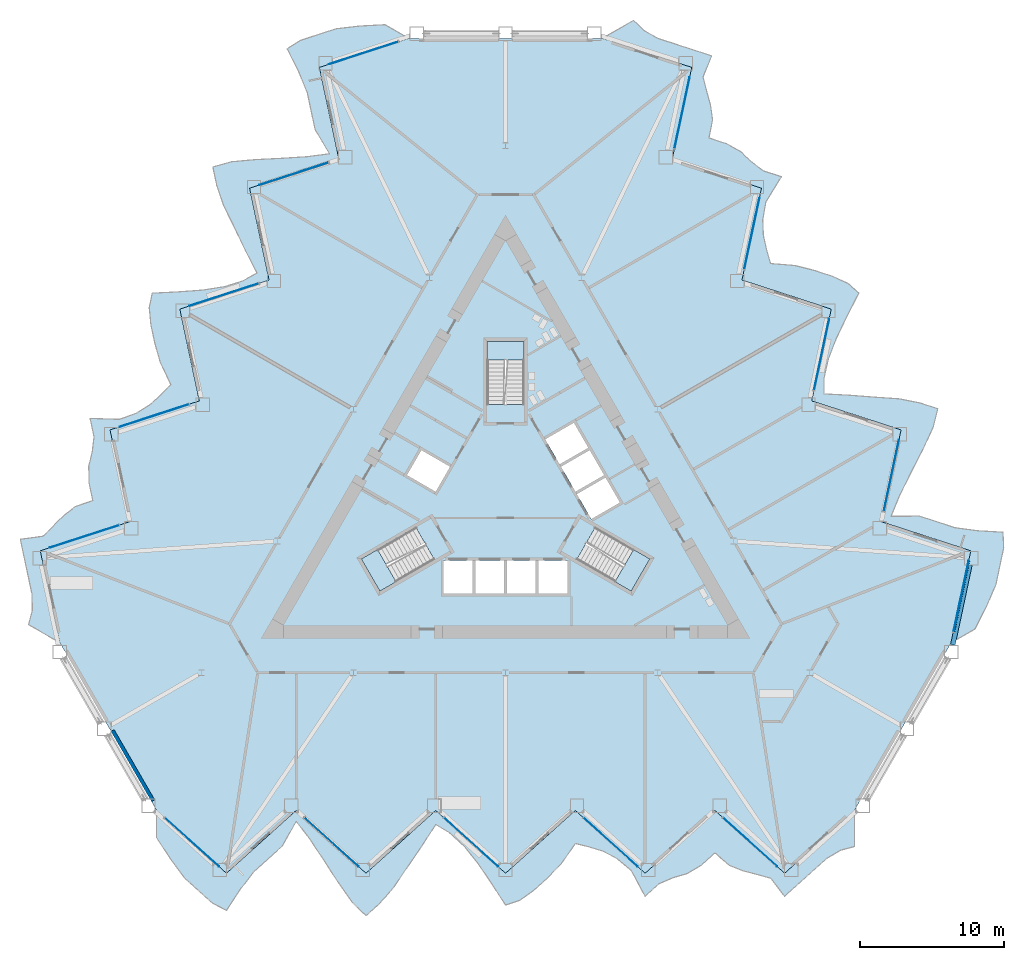
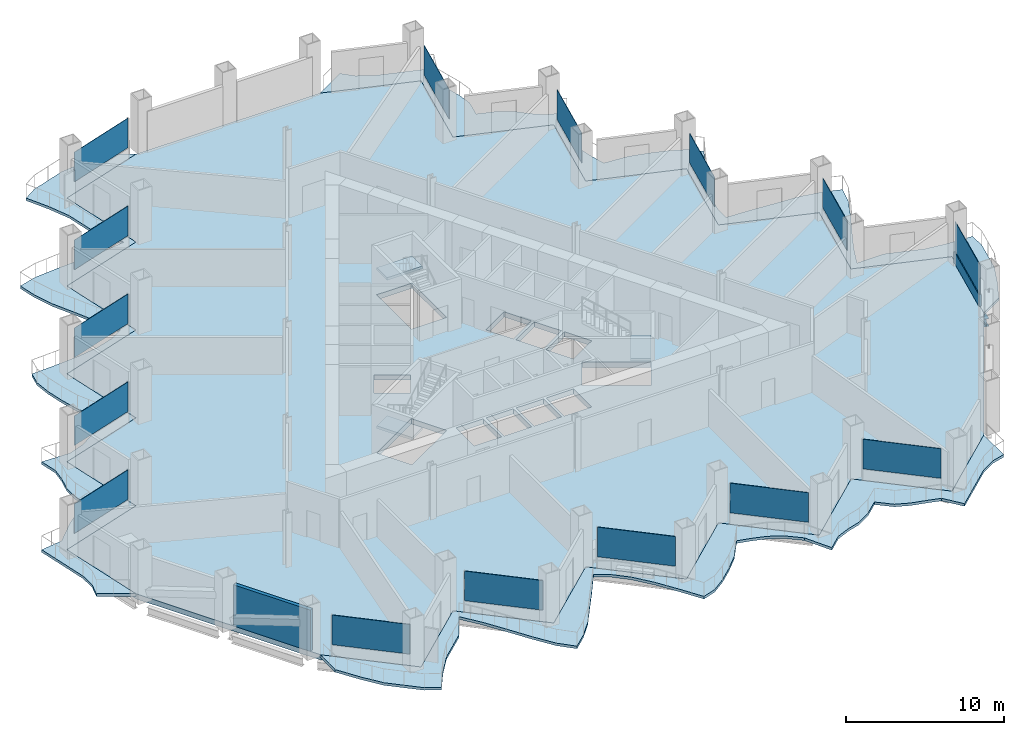
# One storey, part 8 of 21: 15 plates, 7 slabs, 1 beam, 1 member, 1 wall, 18 elements without a shape of their own.
"""IFC4 building model written with IfcOpenShell, lengths in metres."""

from ifc_helpers import new_model, si_unit, direction, frame, frame_2d, origin, origin_2d, place, context, subcontext, project, spatial, polyline, rectangle, i_section, outline, extrude, material, layer, layer_set, material_profile, profile_set, type_object, element, aggregate, save


model = new_model("IFC4")

# Units and contexts
model_context = context("Model", 3, precision=1e-05, world=origin(), true_north=direction((0.0, 1.0)))
body_context = subcontext(model_context, "Body", "Model", "MODEL_VIEW")
ifc_project = project(units=[si_unit("LENGTHUNIT", "METRE"), si_unit("AREAUNIT", "SQUARE_METRE"), si_unit("VOLUMEUNIT", "CUBIC_METRE"), si_unit("PLANEANGLEUNIT", "RADIAN"), si_unit("MASSUNIT", "GRAM", prefix="KILO")], contexts=[model_context])

# Site, building, storey
site_placement = place(None, origin())
site = spatial("IfcSite", under=ifc_project, at=site_placement, CompositionType="ELEMENT")
building_placement = place(site_placement, origin())
building = spatial("IfcBuilding", under=site, at=building_placement, Name="Cormorant Prow Tower", CompositionType="ELEMENT")
storey_placement = place(building_placement, frame((0.0, 0.0, 51.0)))
storey = spatial("IfcBuildingStorey", under=building, at=storey_placement, Name="L10", CompositionType="ELEMENT", Elevation=51.0)

# Curtain wall, member
ifc_material_1 = material(Name="Aluminium 6063-T6", Category="aluminium")
ifc_layer_1 = layer(ifc_material_1, 0.199951171875)
ifc_layer_set_1 = layer_set([ifc_layer_1], Name="Aluminium 6063-T6")
curtain_wall_type = type_object("IfcCurtainWallType", Name="Office unitised curtain wall 200", PredefinedType="NOTDEFINED", material=ifc_layer_set_1)
curtain_wall_1_placement = place(storey_placement, origin())
curtain_wall_1 = element("IfcCurtainWall", 1, at=curtain_wall_1_placement, inside=storey, type_object=curtain_wall_type, Name="Office curtain wall ENE00", PredefinedType="NOTDEFINED")
ifc_material_2 = material(Name="Terracotta", Category="masonry")
ifc_material_profile_1 = material_profile(ifc_material_2, rectangle(XDim=0.159912109375, YDim=0.89990234375, at=origin_2d()), Name="Office terracotta spandrel rail 160x900")
ifc_profile_set_1 = profile_set([ifc_material_profile_1], Name="Terracotta")
member_type = type_object("IfcMemberType", Name="Office terracotta spandrel rail 160x900", PredefinedType="USERDEFINED", material=ifc_profile_set_1)
member_placement = place(storey_placement, frame((31.15869140625, -9.37255859375, 0.449951171875), z_axis=(0.207895659842, 0.978151008086, 0.0), x_axis=(-0.978151008086, 0.207895659842, 0.0)))
member = element("IfcMember", 2, at=member_placement, type_object=member_type, Name="Office spandrel rail ENE00", ObjectType="TRANSOM", PredefinedType="USERDEFINED", context=body_context, shape_type="SweptSolid", body=[
    extrude(rectangle(XDim=0.159912109375, YDim=0.89990234375, at=origin_2d()), origin(), (0.0, 0.0, 1.0), 5.063720703125),
])

# Beam
ifc_material_3 = material(Name="Structural steel ASTM A992 Gr 50", Category="steel")
ifc_material_profile_2 = material_profile(ifc_material_3, i_section(OverallWidth=0.32373046875, OverallDepth=0.611083984375, WebThickness=0.0126953125, FlangeThickness=0.01904296875, at=origin_2d()), Name="W24x104")
ifc_profile_set_2 = profile_set([ifc_material_profile_2], Name="Structural steel ASTM A992 Gr 50")
beam_type = type_object("IfcBeamType", Name="Spandrel beam W24x104", PredefinedType="SPANDREL", material=ifc_profile_set_2)
beam_placement = place(storey_placement, frame((31.10400390625, -10.28466796875, -0.70556640625), z_axis=(0.207900376723, 0.97815000555, 0.0), x_axis=(-0.97815000555, 0.207900376723, 0.0)))
element("IfcBeam", 3, at=beam_placement, inside=storey, type_object=beam_type, Name="Spandrel beam SB1 ENE00-ENE01 L10", PredefinedType="SPANDREL", context=body_context, shape_type="SweptSolid", body=[
    extrude(i_section(OverallWidth=0.32373046875, OverallDepth=0.611083984375, WebThickness=0.0126953125, FlangeThickness=0.01904296875, at=origin_2d()), origin(), (0.0, 0.0, 1.0), 5.6826171875),
])

# Slabs
ifc_material_4 = material(Name="Concrete C40/50", Category="concrete")
ifc_layer_2 = layer(ifc_material_4, 0.199951171875)
ifc_layer_set_2 = layer_set([ifc_layer_2], Name="Concrete C40/50")
slab_type_1 = type_object("IfcSlabType", Name="Balcony slab 200", PredefinedType="FLOOR", material=ifc_layer_set_2)
slab_1_placement = place(storey_placement, frame((0.0, 0.0, -0.199951171875)))
element("IfcSlab", 4, at=slab_1_placement, inside=storey, type_object=slab_type_1, Name="Balcony slab S L10", PredefinedType="FLOOR", context=body_context, shape_type="SweptSolid", body=[
    extrude(outline(polyline([(-24.263427734375, -21.787353515625), (-24.263427734375, -23.687255859375), (-23.292724609375, -25.174560546875), (-22.322265625, -26.485107421875), (-21.351806640625, -27.35888671875), (-20.381103515625, -28.232666015625), (-19.41064453125, -28.73876953125), (-18.440185546875, -27.26318359375), (-17.469482421875, -26.0087890625), (-16.4990234375, -25.135009765625), (-15.528564453125, -24.26123046875), (-14.55810546875, -22.5439453125), (-13.58740234375, -23.81298828125), (-12.616943359375, -25.2744140625), (-11.646484375, -26.777099609375), (-10.67578125, -28.159423828125), (-9.705322265625, -29.106689453125), (-8.73486328125, -28.232666015625), (-7.76416015625, -27.1201171875), (-6.793701171875, -25.67529296875), (-5.8232421875, -24.26123046875), (-4.852783203125, -22.762939453125), (-3.882080078125, -23.3427734375), (-2.91162109375, -24.236328125), (-1.941162109375, -25.438232421875), (-0.970458984375, -26.864013671875), (0.0, -28.3720703125), (0.970458984375, -28.051025390625), (1.941162109375, -27.35888671875), (2.91162109375, -26.485107421875), (3.882080078125, -25.48779296875), (4.852783203125, -24.083251953125), (5.8232421875, -24.32421875), (6.793701171875, -24.62646484375), (7.76416015625, -25.13671875), (8.73486328125, -25.948486328125), (9.705322265625, -27.756591796875), (10.67578125, -26.8828125), (11.646484375, -26.46630859375), (12.616943359375, -26.180419921875), (13.58740234375, -25.611083984375), (14.55810546875, -24.7373046875), (15.528564453125, -25.587890625), (16.4990234375, -25.97998046875), (17.469482421875, -26.231689453125), (18.440185546875, -26.50341796875), (19.41064453125, -27.756591796875), (20.381103515625, -26.8828125), (21.351806640625, -26.0087890625), (22.322265625, -25.135009765625), (23.292724609375, -24.557861328125), (24.263427734375, -24.297607421875), (24.263427734375, -21.787353515625), (23.292724609375, -22.6611328125), (22.322265625, -23.534912109375), (21.351806640625, -24.408935546875), (20.381103515625, -25.28271484375), (19.41064453125, -26.15673828125), (18.440185546875, -25.28271484375), (17.469482421875, -24.408935546875), (16.4990234375, -23.534912109375), (15.528564453125, -22.6611328125), (14.55810546875, -21.787353515625), (13.58740234375, -22.6611328125), (12.616943359375, -23.534912109375), (11.646484375, -24.408935546875), (10.67578125, -25.28271484375), (9.705322265625, -26.15673828125), (8.73486328125, -25.28271484375), (7.76416015625, -24.408935546875), (6.793701171875, -23.534912109375), (5.8232421875, -22.6611328125), (4.852783203125, -21.787353515625), (3.882080078125, -22.6611328125), (2.91162109375, -23.534912109375), (1.941162109375, -24.408935546875), (0.970458984375, -25.28271484375), (0.0, -26.15673828125), (-0.970458984375, -25.28271484375), (-1.941162109375, -24.408935546875), (-2.91162109375, -23.534912109375), (-3.882080078125, -22.6611328125), (-4.852783203125, -21.787353515625), (-5.8232421875, -22.6611328125), (-6.793701171875, -23.534912109375), (-7.76416015625, -24.408935546875), (-8.73486328125, -25.28271484375), (-9.705322265625, -26.15673828125), (-10.67578125, -25.28271484375), (-11.646484375, -24.408935546875), (-12.616943359375, -23.534912109375), (-13.58740234375, -22.6611328125), (-14.55810546875, -21.787353515625), (-15.528564453125, -22.6611328125), (-16.4990234375, -23.534912109375), (-17.469482421875, -24.408935546875), (-18.440185546875, -25.28271484375), (-19.41064453125, -26.15673828125), (-20.381103515625, -25.28271484375), (-21.351806640625, -24.408935546875), (-22.322265625, -23.534912109375), (-23.292724609375, -22.6611328125), (-24.263427734375, -21.787353515625)])), origin(), (0.0, 0.0, 1.0), 0.199951171875),
])
slab_2_placement = place(storey_placement, frame((0.0, 0.0, -0.199951171875)))
element("IfcSlab", 5, at=slab_2_placement, inside=storey, type_object=slab_type_1, Name="Balcony slab ENE L10", PredefinedType="FLOOR", context=body_context, shape_type="SweptSolid", body=[
    extrude(outline(polyline([(31.0, -10.118896484375), (32.6455078125, -9.1689453125), (33.4482421875, -7.5849609375), (34.097900390625, -6.089111328125), (34.369384765625, -4.811767578125), (34.640869140625, -3.5341796875), (34.593994140625, -2.440673828125), (32.830810546875, -2.337890625), (31.25927734375, -2.124755859375), (30.01708984375, -1.72119140625), (28.775146484375, -1.317626953125), (26.802734375, -1.335693359375), (27.416259765625, 0.139404296875), (28.19677734375, 1.710693359375), (29.012939453125, 3.302490234375), (29.724609375, 4.834228515625), (30.059814453125, 6.148193359375), (28.817626953125, 6.5517578125), (27.368896484375, 6.8359375), (25.63232421875, 6.9541015625), (23.92236328125, 7.087646484375), (22.1396484375, 7.178955078125), (22.156494140625, 8.309326171875), (22.445068359375, 9.5966796875), (23.000732421875, 11.0380859375), (23.750244140625, 12.591552734375), (24.57080078125, 14.18603515625), (23.8076171875, 14.865966796875), (22.722900390625, 15.3603515625), (21.48095703125, 15.763916015625), (20.132080078125, 16.10595703125), (18.43017578125, 16.244140625), (18.15380859375, 17.205322265625), (17.93017578125, 18.19677734375), (17.88671875, 19.292236328125), (18.1044921875, 20.538818359375), (19.185302734375, 22.283447265625), (17.943115234375, 22.68701171875), (17.09716796875, 23.319091796875), (16.364501953125, 24.016845703125), (15.38623046875, 24.57275390625), (14.14404296875, 24.976318359375), (14.3955078125, 26.2421875), (14.249755859375, 27.278564453125), (13.982666015625, 28.2451171875), (13.732666015625, 29.221435546875), (14.33251953125, 30.6884765625), (13.090576171875, 31.092041015625), (11.8486328125, 31.49560546875), (10.6064453125, 31.899169921875), (9.621337890625, 32.450927734375), (8.91064453125, 33.161376953125), (6.736572265625, 31.90625), (7.978759765625, 31.502685546875), (9.220703125, 31.09912109375), (10.462890625, 30.695556640625), (11.704833984375, 30.2919921875), (12.947021484375, 29.888427734375), (12.675537109375, 28.611083984375), (12.404052734375, 27.33349609375), (12.13232421875, 26.05615234375), (11.86083984375, 24.778564453125), (11.58935546875, 23.501220703125), (12.831298828125, 23.09765625), (14.073486328125, 22.694091796875), (15.3154296875, 22.29052734375), (16.5576171875, 21.886962890625), (17.799560546875, 21.4833984375), (17.528076171875, 20.2060546875), (17.256591796875, 18.928466796875), (16.985107421875, 17.651123046875), (16.713623046875, 16.37353515625), (16.44189453125, 15.09619140625), (17.68408203125, 14.692626953125), (18.926025390625, 14.2890625), (20.168212890625, 13.885498046875), (21.41015625, 13.48193359375), (22.65234375, 13.078369140625), (22.380859375, 11.80078125), (22.109375, 10.5234375), (21.837646484375, 9.24609375), (21.566162109375, 7.968505859375), (21.294677734375, 6.691162109375), (22.53662109375, 6.28759765625), (23.77880859375, 5.884033203125), (25.020751953125, 5.48046875), (26.262939453125, 5.076904296875), (27.5048828125, 4.67333984375), (27.2333984375, 3.395751953125), (26.9619140625, 2.118408203125), (26.6904296875, 0.8408203125), (26.4189453125, -0.4365234375), (26.147216796875, -1.7138671875), (27.389404296875, -2.117431640625), (28.63134765625, -2.52099609375), (29.87353515625, -2.924560546875), (31.115478515625, -3.328125), (32.357666015625, -3.731689453125), (32.086181640625, -5.00927734375), (31.814697265625, -6.28662109375), (31.54296875, -7.564208984375), (31.271484375, -8.841552734375), (31.0, -10.118896484375)])), origin(), (0.0, 0.0, 1.0), 0.199951171875),
])
slab_3_placement = place(storey_placement, frame((0.0, 0.0, -0.199951171875)))
element("IfcSlab", 6, at=slab_3_placement, inside=storey, type_object=slab_type_1, Name="Balcony slab WNW L10", PredefinedType="FLOOR", context=body_context, shape_type="SweptSolid", body=[
    extrude(outline(polyline([(-6.736572265625, 31.90625), (-8.382080078125, 32.856201171875), (-10.1552734375, 32.75927734375), (-11.775634765625, 32.57421875), (-13.017578125, 32.170654296875), (-14.259765625, 31.76708984375), (-15.183349609375, 31.179443359375), (-14.390625, 29.601318359375), (-13.78955078125, 28.133544921875), (-13.51806640625, 26.856201171875), (-13.24658203125, 25.57861328125), (-12.24462890625, 23.879638671875), (-13.828857421875, 23.673583984375), (-15.579833984375, 23.563720703125), (-17.366455078125, 23.474609375), (-19.048828125, 23.3251953125), (-20.3544921875, 22.95849609375), (-20.0830078125, 21.680908203125), (-19.6044921875, 20.2841796875), (-18.838623046875, 18.72119140625), (-18.09912109375, 17.173583984375), (-17.286865234375, 15.583984375), (-18.2744140625, 15.033447265625), (-19.533447265625, 14.6396484375), (-21.0595703125, 14.400146484375), (-22.77978515625, 14.2724609375), (-24.57080078125, 14.18603515625), (-24.7783203125, 13.18505859375), (-24.6640625, 11.99853515625), (-24.392578125, 10.720947265625), (-24.01416015625, 9.3818359375), (-23.282958984375, 7.839111328125), (-23.97705078125, 7.119140625), (-24.723876953125, 6.4296875), (-25.651123046875, 5.84423828125), (-26.83935546875, 5.40966796875), (-28.890625, 5.47314453125), (-28.619140625, 4.19580078125), (-28.74365234375, 3.14697265625), (-28.9814453125, 2.16357421875), (-28.9736328125, 1.03857421875), (-28.7021484375, -0.239013671875), (-29.924072265625, -0.654052734375), (-30.748779296875, -1.298583984375), (-31.4521484375, -2.01318359375), (-32.172607421875, -2.718017578125), (-33.7431640625, -2.931884765625), (-33.4716796875, -4.209228515625), (-33.2001953125, -5.486572265625), (-32.9287109375, -6.76416015625), (-32.9140625, -7.893310546875), (-33.174072265625, -8.86376953125), (-31.0, -10.118896484375), (-31.271484375, -8.841552734375), (-31.54296875, -7.564208984375), (-31.814697265625, -6.28662109375), (-32.086181640625, -5.00927734375), (-32.357666015625, -3.731689453125), (-31.115478515625, -3.328125), (-29.87353515625, -2.924560546875), (-28.63134765625, -2.52099609375), (-27.389404296875, -2.117431640625), (-26.147216796875, -1.7138671875), (-26.4189453125, -0.4365234375), (-26.6904296875, 0.8408203125), (-26.9619140625, 2.118408203125), (-27.2333984375, 3.395751953125), (-27.5048828125, 4.67333984375), (-26.262939453125, 5.076904296875), (-25.020751953125, 5.48046875), (-23.77880859375, 5.884033203125), (-22.53662109375, 6.28759765625), (-21.294677734375, 6.691162109375), (-21.566162109375, 7.968505859375), (-21.837646484375, 9.24609375), (-22.109375, 10.5234375), (-22.380859375, 11.80078125), (-22.65234375, 13.078369140625), (-21.41015625, 13.48193359375), (-20.168212890625, 13.885498046875), (-18.926025390625, 14.2890625), (-17.68408203125, 14.692626953125), (-16.44189453125, 15.09619140625), (-16.713623046875, 16.37353515625), (-16.985107421875, 17.651123046875), (-17.256591796875, 18.928466796875), (-17.528076171875, 20.2060546875), (-17.799560546875, 21.4833984375), (-16.5576171875, 21.886962890625), (-15.3154296875, 22.29052734375), (-14.073486328125, 22.694091796875), (-12.831298828125, 23.09765625), (-11.58935546875, 23.501220703125), (-11.86083984375, 24.778564453125), (-12.13232421875, 26.05615234375), (-12.404052734375, 27.33349609375), (-12.675537109375, 28.611083984375), (-12.947021484375, 29.888427734375), (-11.704833984375, 30.2919921875), (-10.462890625, 30.695556640625), (-9.220703125, 31.09912109375), (-7.978759765625, 31.502685546875), (-6.736572265625, 31.90625)])), origin(), (0.0, 0.0, 1.0), 0.199951171875),
])

# Curtain wall, plate
curtain_wall_2_placement = place(storey_placement, origin())
curtain_wall_2 = element("IfcCurtainWall", 7, at=curtain_wall_2_placement, inside=storey, type_object=curtain_wall_type, Name="Office curtain wall S00", PredefinedType="NOTDEFINED")
ifc_material_5 = material(Name="Clear glass", Category="glass")
ifc_layer_3 = layer(ifc_material_5, 0.031982421875)
ifc_layer_set_3 = layer_set([ifc_layer_3], Name="Clear glass")
plate_type = type_object("IfcPlateType", Name="Office glass panel 32", PredefinedType="CURTAIN_PANEL", material=ifc_layer_set_3)
plate_1_placement = place(storey_placement, frame((-21.814697265625, -23.991943359375, 0.89990234375), z_axis=(0.0, 0.0, 1.0), x_axis=(0.743144855234, -0.66913057331, 0.0)))
plate_1 = element("IfcPlate", 8, at=plate_1_placement, type_object=plate_type, Name="Office glass panel S00", PredefinedType="CURTAIN_PANEL", context=body_context, shape_type="SweptSolid", body=[
    extrude(rectangle(XDim=5.06396484375, YDim=0.031982421875, at=origin_2d()), origin(), (0.0, 0.0, 1.0), 2.288818359375),
])
aggregate(curtain_wall_2, [plate_1])

curtain_wall_3_placement = place(storey_placement, origin())
curtain_wall_3 = element("IfcCurtainWall", 9, at=curtain_wall_3_placement, inside=storey, type_object=curtain_wall_type, Name="Office curtain wall S02", PredefinedType="NOTDEFINED")
plate_2_placement = place(storey_placement, frame((-12.109375, -23.991943359375, 0.89990234375), z_axis=(0.0, 0.0, 1.0), x_axis=(0.743144855234, -0.66913057331, 0.0)))
plate_2 = element("IfcPlate", 10, at=plate_2_placement, type_object=plate_type, Name="Office glass panel S02", PredefinedType="CURTAIN_PANEL", context=body_context, shape_type="SweptSolid", body=[
    extrude(rectangle(XDim=5.06396484375, YDim=0.031982421875, at=origin_2d()), origin(), (0.0, 0.0, 1.0), 2.288818359375),
])
aggregate(curtain_wall_3, [plate_2])

curtain_wall_4_placement = place(storey_placement, origin())
curtain_wall_4 = element("IfcCurtainWall", 11, at=curtain_wall_4_placement, inside=storey, type_object=curtain_wall_type, Name="Office curtain wall S04", PredefinedType="NOTDEFINED")
plate_3_placement = place(storey_placement, frame((-2.404052734375, -23.991943359375, 0.89990234375), z_axis=(0.0, 0.0, 1.0), x_axis=(0.743144855234, -0.66913057331, 0.0)))
plate_3 = element("IfcPlate", 12, at=plate_3_placement, type_object=plate_type, Name="Office glass panel S04", PredefinedType="CURTAIN_PANEL", context=body_context, shape_type="SweptSolid", body=[
    extrude(rectangle(XDim=5.06396484375, YDim=0.031982421875, at=origin_2d()), origin(), (0.0, 0.0, 1.0), 2.288818359375),
])
aggregate(curtain_wall_4, [plate_3])

curtain_wall_5_placement = place(storey_placement, origin())
curtain_wall_5 = element("IfcCurtainWall", 13, at=curtain_wall_5_placement, inside=storey, type_object=curtain_wall_type, Name="Office curtain wall S06", PredefinedType="NOTDEFINED")
plate_4_placement = place(storey_placement, frame((7.30126953125, -23.991943359375, 0.89990234375), z_axis=(0.0, 0.0, 1.0), x_axis=(0.74314478667, -0.669130649459, 0.0)))
plate_4 = element("IfcPlate", 14, at=plate_4_placement, type_object=plate_type, Name="Office glass panel S06", PredefinedType="CURTAIN_PANEL", context=body_context, shape_type="SweptSolid", body=[
    extrude(rectangle(XDim=5.06396484375, YDim=0.031982421875, at=origin_2d()), origin(), (0.0, 0.0, 1.0), 2.288818359375),
])
aggregate(curtain_wall_5, [plate_4])

curtain_wall_6_placement = place(storey_placement, origin())
curtain_wall_6 = element("IfcCurtainWall", 15, at=curtain_wall_6_placement, inside=storey, type_object=curtain_wall_type, Name="Office curtain wall S08", PredefinedType="NOTDEFINED")
plate_5_placement = place(storey_placement, frame((17.006591796875, -23.991943359375, 0.89990234375), z_axis=(0.0, 0.0, 1.0), x_axis=(0.743144855234, -0.66913057331, 0.0)))
plate_5 = element("IfcPlate", 16, at=plate_5_placement, type_object=plate_type, Name="Office glass panel S08", PredefinedType="CURTAIN_PANEL", context=body_context, shape_type="SweptSolid", body=[
    extrude(rectangle(XDim=5.06396484375, YDim=0.031982421875, at=origin_2d()), origin(), (0.0, 0.0, 1.0), 2.288818359375),
])
aggregate(curtain_wall_6, [plate_5])

# Plate
plate_6_placement = place(storey_placement, frame((31.68505859375, -6.89599609375, 0.89990234375), z_axis=(0.0, 0.0, 1.0), x_axis=(0.207911695052, 0.978147599834, 0.0)))
plate_6 = element("IfcPlate", 17, at=plate_6_placement, type_object=plate_type, Name="Office glass panel ENE00", PredefinedType="CURTAIN_PANEL", context=body_context, shape_type="SweptSolid", body=[
    extrude(rectangle(XDim=5.06396484375, YDim=0.031982421875, at=origin_2d()), origin(), (0.0, 0.0, 1.0), 2.288818359375),
])

aggregate(curtain_wall_1, [member, plate_6])

# Curtain wall, plate
curtain_wall_7_placement = place(storey_placement, origin())
curtain_wall_7 = element("IfcCurtainWall", 18, at=curtain_wall_7_placement, inside=storey, type_object=curtain_wall_type, Name="Office curtain wall ENE02", PredefinedType="NOTDEFINED")
plate_7_placement = place(storey_placement, frame((26.832275390625, 1.509033203125, 0.89990234375), z_axis=(0.0, 0.0, 1.0), x_axis=(0.207911695052, 0.978147599834, 0.0)))
plate_7 = element("IfcPlate", 19, at=plate_7_placement, type_object=plate_type, Name="Office glass panel ENE02", PredefinedType="CURTAIN_PANEL", context=body_context, shape_type="SweptSolid", body=[
    extrude(rectangle(XDim=5.06396484375, YDim=0.031982421875, at=origin_2d()), origin(), (0.0, 0.0, 1.0), 2.288818359375),
])
aggregate(curtain_wall_7, [plate_7])

curtain_wall_8_placement = place(storey_placement, origin())
curtain_wall_8 = element("IfcCurtainWall", 20, at=curtain_wall_8_placement, inside=storey, type_object=curtain_wall_type, Name="Office curtain wall ENE04", PredefinedType="NOTDEFINED")
plate_8_placement = place(storey_placement, frame((21.979736328125, 9.9140625, 0.89990234375), z_axis=(0.0, 0.0, 1.0), x_axis=(0.207911695052, 0.978147599834, 0.0)))
plate_8 = element("IfcPlate", 21, at=plate_8_placement, type_object=plate_type, Name="Office glass panel ENE04", PredefinedType="CURTAIN_PANEL", context=body_context, shape_type="SweptSolid", body=[
    extrude(rectangle(XDim=5.06396484375, YDim=0.031982421875, at=origin_2d()), origin(), (0.0, 0.0, 1.0), 2.288818359375),
])
aggregate(curtain_wall_8, [plate_8])

curtain_wall_9_placement = place(storey_placement, origin())
curtain_wall_9 = element("IfcCurtainWall", 22, at=curtain_wall_9_placement, inside=storey, type_object=curtain_wall_type, Name="Office curtain wall ENE06", PredefinedType="NOTDEFINED")
plate_9_placement = place(storey_placement, frame((17.126953125, 18.319091796875, 0.89990234375), z_axis=(0.0, 0.0, 1.0), x_axis=(0.207911548524, 0.978147630979, 0.0)))
plate_9 = element("IfcPlate", 23, at=plate_9_placement, type_object=plate_type, Name="Office glass panel ENE06", PredefinedType="CURTAIN_PANEL", context=body_context, shape_type="SweptSolid", body=[
    extrude(rectangle(XDim=5.06396484375, YDim=0.031982421875, at=origin_2d()), origin(), (0.0, 0.0, 1.0), 2.288818359375),
])
aggregate(curtain_wall_9, [plate_9])

curtain_wall_10_placement = place(storey_placement, origin())
curtain_wall_10 = element("IfcCurtainWall", 24, at=curtain_wall_10_placement, inside=storey, type_object=curtain_wall_type, Name="Office curtain wall ENE08", PredefinedType="NOTDEFINED")
plate_10_placement = place(storey_placement, frame((12.2744140625, 26.72412109375, 0.89990234375), z_axis=(0.0, 0.0, 1.0), x_axis=(0.207911695052, 0.978147599834, 0.0)))
plate_10 = element("IfcPlate", 25, at=plate_10_placement, type_object=plate_type, Name="Office glass panel ENE08", PredefinedType="CURTAIN_PANEL", context=body_context, shape_type="SweptSolid", body=[
    extrude(rectangle(XDim=5.06396484375, YDim=0.031982421875, at=origin_2d()), origin(), (0.0, 0.0, 1.0), 2.288818359375),
])
aggregate(curtain_wall_10, [plate_10])

curtain_wall_11_placement = place(storey_placement, origin())
curtain_wall_11 = element("IfcCurtainWall", 26, at=curtain_wall_11_placement, inside=storey, type_object=curtain_wall_type, Name="Office curtain wall WNW00", PredefinedType="NOTDEFINED")
plate_11_placement = place(storey_placement, frame((-9.870361328125, 30.88818359375, 0.89990234375), z_axis=(0.0, 0.0, 1.0), x_axis=(-0.951056534935, -0.309016937009, 0.0)))
plate_11 = element("IfcPlate", 27, at=plate_11_placement, type_object=plate_type, Name="Office glass panel WNW00", PredefinedType="CURTAIN_PANEL", context=body_context, shape_type="SweptSolid", body=[
    extrude(rectangle(XDim=5.06396484375, YDim=0.031982421875, at=origin_2d()), origin(), (0.0, 0.0, 1.0), 2.288818359375),
])
aggregate(curtain_wall_11, [plate_11])

curtain_wall_12_placement = place(storey_placement, origin())
curtain_wall_12 = element("IfcCurtainWall", 28, at=curtain_wall_12_placement, inside=storey, type_object=curtain_wall_type, Name="Office curtain wall WNW02", PredefinedType="NOTDEFINED")
plate_12_placement = place(storey_placement, frame((-14.72314453125, 22.483154296875, 0.89990234375), z_axis=(0.0, 0.0, 1.0), x_axis=(-0.951056534935, -0.309016937009, 0.0)))
plate_12 = element("IfcPlate", 29, at=plate_12_placement, type_object=plate_type, Name="Office glass panel WNW02", PredefinedType="CURTAIN_PANEL", context=body_context, shape_type="SweptSolid", body=[
    extrude(rectangle(XDim=5.06396484375, YDim=0.031982421875, at=origin_2d()), origin(), (0.0, 0.0, 1.0), 2.288818359375),
])
aggregate(curtain_wall_12, [plate_12])

curtain_wall_13_placement = place(storey_placement, origin())
curtain_wall_13 = element("IfcCurtainWall", 30, at=curtain_wall_13_placement, inside=storey, type_object=curtain_wall_type, Name="Office curtain wall WNW04", PredefinedType="NOTDEFINED")
plate_13_placement = place(storey_placement, frame((-19.57568359375, 14.077880859375, 0.89990234375), z_axis=(0.0, 0.0, 1.0), x_axis=(-0.951056549556, -0.309016892008, 0.0)))
plate_13 = element("IfcPlate", 31, at=plate_13_placement, type_object=plate_type, Name="Office glass panel WNW04", PredefinedType="CURTAIN_PANEL", context=body_context, shape_type="SweptSolid", body=[
    extrude(rectangle(XDim=5.06396484375, YDim=0.031982421875, at=origin_2d()), origin(), (0.0, 0.0, 1.0), 2.288818359375),
])
aggregate(curtain_wall_13, [plate_13])

curtain_wall_14_placement = place(storey_placement, origin())
curtain_wall_14 = element("IfcCurtainWall", 32, at=curtain_wall_14_placement, inside=storey, type_object=curtain_wall_type, Name="Office curtain wall WNW06", PredefinedType="NOTDEFINED")
plate_14_placement = place(storey_placement, frame((-24.428466796875, 5.6728515625, 0.89990234375), z_axis=(0.0, 0.0, 1.0), x_axis=(-0.951056534935, -0.309016937009, 0.0)))
plate_14 = element("IfcPlate", 33, at=plate_14_placement, type_object=plate_type, Name="Office glass panel WNW06", PredefinedType="CURTAIN_PANEL", context=body_context, shape_type="SweptSolid", body=[
    extrude(rectangle(XDim=5.06396484375, YDim=0.031982421875, at=origin_2d()), origin(), (0.0, 0.0, 1.0), 2.288818359375),
])
aggregate(curtain_wall_14, [plate_14])

curtain_wall_15_placement = place(storey_placement, origin())
curtain_wall_15 = element("IfcCurtainWall", 34, at=curtain_wall_15_placement, inside=storey, type_object=curtain_wall_type, Name="Office curtain wall WNW08", PredefinedType="NOTDEFINED")
plate_15_placement = place(storey_placement, frame((-29.281005859375, -2.732177734375, 0.89990234375), z_axis=(0.0, 0.0, 1.0), x_axis=(-0.951056549556, -0.309016892008, 0.0)))
plate_15 = element("IfcPlate", 35, at=plate_15_placement, type_object=plate_type, Name="Office glass panel WNW08", PredefinedType="CURTAIN_PANEL", context=body_context, shape_type="SweptSolid", body=[
    extrude(rectangle(XDim=5.06396484375, YDim=0.031982421875, at=origin_2d()), origin(), (0.0, 0.0, 1.0), 2.288818359375),
])
aggregate(curtain_wall_15, [plate_15])

# Slab
ifc_material_6 = material(Name="Concrete C40/50", Category="concrete")
ifc_layer_4 = layer(ifc_material_6, 0.39990234375)
ifc_layer_set_4 = layer_set([ifc_layer_4], Name="Concrete C40/50")
slab_type_2 = type_object("IfcSlabType", Name="Post-tensioned flat slab 400", PredefinedType="FLOOR", material=ifc_layer_set_4)
slab_4_placement = place(storey_placement, frame((0.0, 0.0, -0.39990234375)))
element("IfcSlab", 36, at=slab_4_placement, inside=storey, type_object=slab_type_2, Name="Floor slab L10", PredefinedType="FLOOR", context=body_context, shape_type="SweptSolid", body=[
    extrude(outline(polyline([(-12.947021484375, 29.888427734375), (-11.58935546875, 23.501220703125), (-17.799560546875, 21.4833984375), (-16.44189453125, 15.09619140625), (-22.65234375, 13.078369140625), (-21.294677734375, 6.691162109375), (-27.5048828125, 4.67333984375), (-26.147216796875, -1.7138671875), (-32.357666015625, -3.731689453125), (-31.0, -10.118896484375), (-27.631591796875, -15.953125), (-24.263427734375, -21.787353515625), (-19.41064453125, -26.15673828125), (-14.55810546875, -21.787353515625), (-9.705322265625, -26.15673828125), (-4.852783203125, -21.787353515625), (0.0, -26.15673828125), (4.852783203125, -21.787353515625), (9.705322265625, -26.15673828125), (14.55810546875, -21.787353515625), (19.41064453125, -26.15673828125), (24.263427734375, -21.787353515625), (27.631591796875, -15.953125), (31.0, -10.118896484375), (32.357666015625, -3.731689453125), (26.147216796875, -1.7138671875), (27.5048828125, 4.67333984375), (21.294677734375, 6.691162109375), (22.65234375, 13.078369140625), (16.44189453125, 15.09619140625), (17.799560546875, 21.4833984375), (11.58935546875, 23.501220703125), (12.947021484375, 29.888427734375), (6.736572265625, 31.90625), (0.0, 31.90625), (-6.736572265625, 31.90625), (-12.947021484375, 29.888427734375)]), holes=[polyline([(-4.300048828125, -6.699951171875), (-4.300048828125, -4.39990234375), (-2.300048828125, -4.39990234375), (-2.300048828125, -6.699951171875), (-4.300048828125, -6.699951171875)]), polyline([(-2.10009765625, -4.39990234375), (-0.10009765625, -4.39990234375), (-0.10009765625, -6.699951171875), (-2.10009765625, -6.699951171875), (-2.10009765625, -4.39990234375)]), polyline([(2.10009765625, -4.39990234375), (2.10009765625, -6.699951171875), (0.10009765625, -6.699951171875), (0.10009765625, -4.39990234375), (2.10009765625, -4.39990234375)]), polyline([(4.300048828125, -6.699951171875), (2.300048828125, -6.699951171875), (2.300048828125, -4.39990234375), (4.300048828125, -4.39990234375), (4.300048828125, -6.699951171875)]), polyline([(7.952392578125, -0.373779296875), (5.96044921875, -1.52392578125), (4.96044921875, 0.2080078125), (6.952392578125, 1.358154296875), (7.952392578125, -0.373779296875)]), polyline([(4.860595703125, 0.38134765625), (3.860595703125, 2.11328125), (5.852294921875, 3.263427734375), (6.852294921875, 1.53125), (4.860595703125, 0.38134765625)]), polyline([(2.760498046875, 4.018798828125), (4.75244140625, 5.168701171875), (5.75244140625, 3.4365234375), (3.760498046875, 2.28662109375), (2.760498046875, 4.018798828125)]), polyline([(-6.852294921875, 1.53125), (-5.852294921875, 3.263427734375), (-3.860595703125, 2.11328125), (-4.860595703125, 0.38134765625), (-6.852294921875, 1.53125)]), polyline([(-4.947509765625, -4.3505859375), (-8.738037109375, -6.5390625), (-10.031982421875, -4.2978515625), (-6.241455078125, -2.109375), (-4.947509765625, -4.3505859375)]), polyline([(10.031982421875, -4.2978515625), (8.738037109375, -6.5390625), (4.947509765625, -4.3505859375), (6.241455078125, -2.109375), (10.031982421875, -4.2978515625)]), polyline([(1.2939453125, 10.8369140625), (1.2939453125, 6.459716796875), (-1.2939453125, 6.459716796875), (-1.2939453125, 10.8369140625), (1.2939453125, 10.8369140625)])]), origin(), (0.0, 0.0, 1.0), 0.39990234375),
])

# Stair, slab
ifc_material_7 = material(Name="Exit stair 24 risers")
stair_type = type_object("IfcStairType", Name="Exit stair 24 risers", PredefinedType="HALF_TURN_STAIR", material=ifc_material_7)
stair_1_placement = place(storey_placement, origin())
stair_1 = element("IfcStair", 37, at=stair_1_placement, inside=storey, type_object=stair_type, Name="L10 Exit stair ST1", PredefinedType="HALF_TURN_STAIR")
ifc_material_8 = material(Name="Concrete 5000 psi", Category="concrete")
ifc_layer_5 = layer(ifc_material_8, 0.199951171875)
ifc_layer_set_5 = layer_set([ifc_layer_5], Name="Concrete 5000 psi")
slab_type_3 = type_object("IfcSlabType", Name="Stair landing 200", PredefinedType="LANDING", material=ifc_layer_set_5)
slab_5_placement = place(storey_placement, frame((0.0, 0.0, 1.89990234375)))
slab_5 = element("IfcSlab", 38, at=slab_5_placement, type_object=slab_type_3, Name="ST1 landing 1", PredefinedType="LANDING", context=body_context, shape_type="SweptSolid", body=[
    extrude(outline(polyline([(-8.90185546875, -3.645263671875), (-10.031982421875, -4.2978515625), (-8.738037109375, -6.5390625), (-7.60791015625, -5.886474609375), (-8.90185546875, -3.645263671875)])), origin(), (0.0, 0.0, 1.0), 0.2001953125),
])
aggregate(stair_1, [slab_5])

stair_2_placement = place(storey_placement, origin())
stair_2 = element("IfcStair", 39, at=stair_2_placement, inside=storey, type_object=stair_type, Name="L10 Exit stair ST2", PredefinedType="HALF_TURN_STAIR")
slab_6_placement = place(storey_placement, frame((0.0, 0.0, 1.89990234375)))
slab_6 = element("IfcSlab", 40, at=slab_6_placement, type_object=slab_type_3, Name="ST2 landing 1", PredefinedType="LANDING", context=body_context, shape_type="SweptSolid", body=[
    extrude(outline(polyline([(7.60791015625, -5.886474609375), (8.738037109375, -6.5390625), (10.031982421875, -4.2978515625), (8.90185546875, -3.645263671875), (7.60791015625, -5.886474609375)])), origin(), (0.0, 0.0, 1.0), 0.2001953125),
])
aggregate(stair_2, [slab_6])

stair_3_placement = place(storey_placement, origin())
stair_3 = element("IfcStair", 41, at=stair_3_placement, inside=storey, type_object=stair_type, Name="L10 Exit stair ST3", PredefinedType="HALF_TURN_STAIR")
slab_7_placement = place(storey_placement, frame((0.0, 0.0, 1.89990234375)))
slab_7 = element("IfcSlab", 42, at=slab_7_placement, type_object=slab_type_3, Name="ST3 landing 1", PredefinedType="LANDING", context=body_context, shape_type="SweptSolid", body=[
    extrude(outline(polyline([(1.2939453125, 9.53173828125), (1.2939453125, 10.8369140625), (-1.2939453125, 10.8369140625), (-1.2939453125, 9.53173828125), (1.2939453125, 9.53173828125)])), origin(), (0.0, 0.0, 1.0), 0.2001953125),
])
aggregate(stair_3, [slab_7])

# Wall
ifc_material_9 = material(Name="Terracotta", Category="masonry")
ifc_layer_6 = layer(ifc_material_9, 0.25)
ifc_layer_set_6 = layer_set([ifc_layer_6], Name="Terracotta")
wall_type = type_object("IfcWallType", Name="Terracotta bay wall 250", PredefinedType="SOLIDWALL", material=ifc_layer_set_6)
wall_placement = place(storey_placement, frame((-27.32861328125, -16.22802734375, 0.0), z_axis=(0.0, 0.0, 1.0), x_axis=(0.49999579099, -0.866027833844, 0.0)))
element("IfcWall", 43, at=wall_placement, inside=storey, type_object=wall_type, Name="Terracotta bay wall WSW01", PredefinedType="SOLIDWALL", context=body_context, shape_type="SweptSolid", body=[
    extrude(rectangle(XDim=5.64404296875, YDim=0.25, at=frame_2d((2.822021484375, 0.0))), origin(), (0.0, 0.0, 1.0), 3.18896484375),
])

save(model, "model.ifc")
